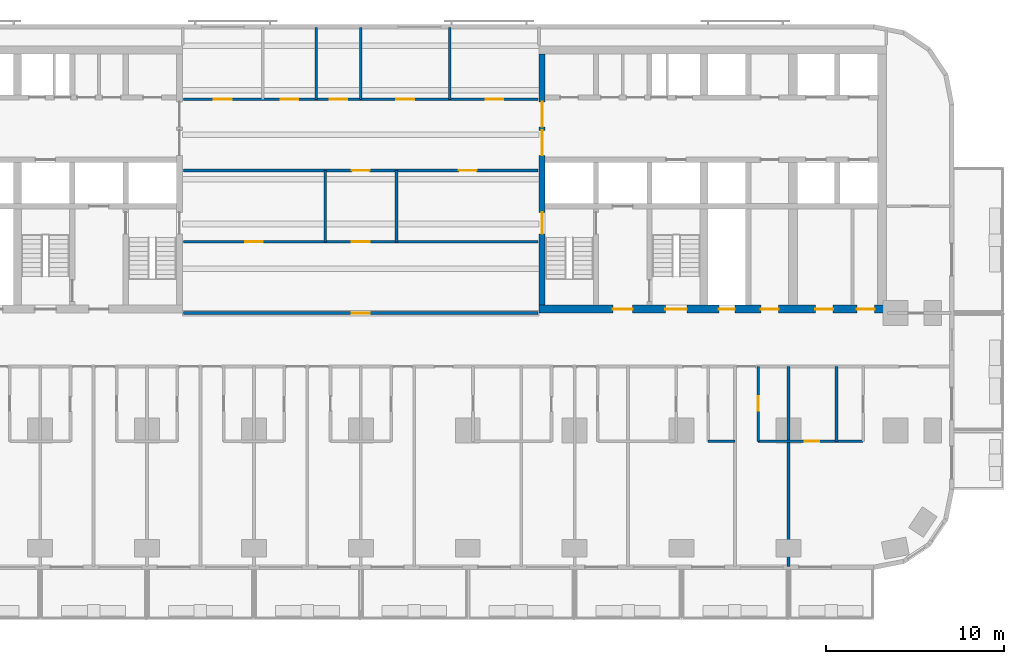
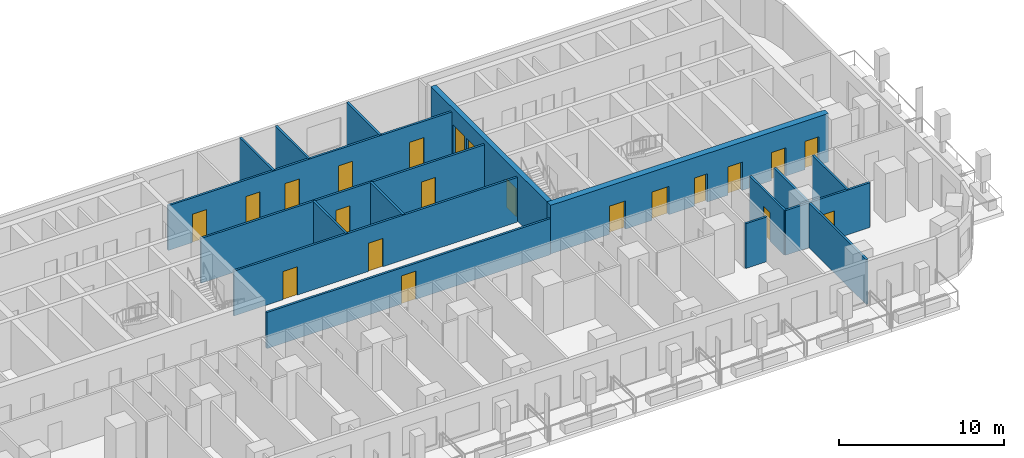
# One storey, part 6 of 14: 21 doors, 16 walls, 21 openings.
"""IFC4 building model written with IfcOpenShell, lengths in metres."""

from ifc_helpers import new_model, si_unit, direction, frame, frame_2d, origin, place, context, subcontext, project, spatial, rectangle, extrude, material, layer, layer_set, type_object, element, fill, save


model = new_model("IFC4")

# Units and contexts
model_context = context("Model", 3, precision=1e-05, world=origin(), true_north=direction((0.0, 1.0)))
body_context = subcontext(model_context, "Body", "Model", "MODEL_VIEW")
ifc_project = project(units=[si_unit("LENGTHUNIT", "METRE"), si_unit("AREAUNIT", "SQUARE_METRE"), si_unit("VOLUMEUNIT", "CUBIC_METRE"), si_unit("PLANEANGLEUNIT", "RADIAN"), si_unit("MASSUNIT", "GRAM", prefix="KILO")], contexts=[model_context])

# Site, building, storey
site_placement = place(None, origin())
site = spatial("IfcSite", under=ifc_project, at=site_placement, CompositionType="ELEMENT")
building_placement = place(site_placement, origin())
building = spatial("IfcBuilding", under=site, at=building_placement, Name="Torana Hotel and Residences", CompositionType="ELEMENT")
storey_placement = place(building_placement, frame((0.0, 0.0, 34.800048828125)))
storey = spatial("IfcBuildingStorey", under=building, at=storey_placement, Name="L07", CompositionType="ELEMENT", Elevation=34.800048828125)

# Wall, openings, doors
ifc_material_1 = material(Name="Concrete C80/95", Category="concrete")
ifc_layer_1 = layer(ifc_material_1, 0.35009765625)
ifc_layer_set_1 = layer_set([ifc_layer_1], Name="CORE WALL 350 C80/95")
wall_type_1 = type_object("IfcWallType", Name="CORE WALL 350 C80/95", PredefinedType="SHEAR", material=ifc_layer_set_1)
wall_1_placement = place(storey_placement, frame((10.175048828125, -14.550048828125, 0.0), z_axis=(0.0, 0.0, 1.0), x_axis=(0.0, 1.0, 0.0)))
wall_1 = element("IfcWall", 1, at=wall_1_placement, inside=storey, type_object=wall_type_1, Name="Core wall E arch", PredefinedType="SHEAR", context=body_context, shape_type="SweptSolid", body=[
    extrude(rectangle(XDim=14.10009765625, YDim=0.35009765625, at=frame_2d((7.050048828125, 0.0))), origin(), (0.0, 0.0, 1.0), 3.599853515625),
])
opening_1_placement = place(wall_1_placement, frame((8.39990234375, 0.0, 0.0)))
opening_1 = element("IfcOpeningElement", 2, at=opening_1_placement, cuts=wall_1, Name="Opening L07-19", PredefinedType="OPENING", context=body_context, shape_type="SweptSolid", body=[
    extrude(rectangle(XDim=1.39990234375, YDim=2.39990234375, at=frame_2d((0.699951171875, 1.199951171875))), frame((0.0, 0.18505859375, 0.0), z_axis=(0.0, -1.0, 0.0), x_axis=(1.0, 0.0, 0.0)), (0.0, 0.0, 1.0), 0.3701171875),
])
opening_2_placement = place(wall_1_placement, frame((10.0, 0.0, 0.0)))
opening_2 = element("IfcOpeningElement", 3, at=opening_2_placement, cuts=wall_1, Name="Opening L07-20", PredefinedType="OPENING", context=body_context, shape_type="SweptSolid", body=[
    extrude(rectangle(XDim=1.39990234375, YDim=2.39990234375, at=frame_2d((0.699951171875, 1.199951171875))), frame((0.0, 0.18505859375, 0.0), z_axis=(0.0, -1.0, 0.0), x_axis=(1.0, 0.0, 0.0)), (0.0, 0.0, 1.0), 0.3701171875),
])
opening_3_placement = place(wall_1_placement, frame((4.0, 0.0, 0.0)))
opening_3 = element("IfcOpeningElement", 4, at=opening_3_placement, cuts=wall_1, Name="Opening L07-21", PredefinedType="OPENING", context=body_context, shape_type="SweptSolid", body=[
    extrude(rectangle(XDim=1.199951171875, YDim=2.10009765625, at=frame_2d((0.60009765625, 1.050048828125))), frame((0.0, 0.18505859375, 0.0), z_axis=(0.0, -1.0, 0.0), x_axis=(1.0, 0.0, 0.0)), (0.0, 0.0, 1.0), 0.3701171875),
])
ifc_material_2 = material(Name="Steel S235", Category="steel")
door_type_1 = type_object("IfcDoorType", Name="LOBBY FIRE DOOR D4 1400x2400", OperationType="DOUBLE_DOOR_SINGLE_SWING", PredefinedType="DOOR", material=ifc_material_2)
door_1_placement = place(opening_1_placement, origin())
door_1 = element("IfcDoor", 5, at=door_1_placement, inside=storey, type_object=door_type_1, Name="Lobby-1 door L07", OperationType="DOUBLE_DOOR_SINGLE_SWING", OverallHeight=2.39990234375, OverallWidth=1.39990234375, PredefinedType="DOOR", context=body_context, shape_type="SweptSolid", body=[
    extrude(rectangle(XDim=1.39990234375, YDim=2.39990234375, at=frame_2d((0.699951171875, 1.199951171875))), frame((0.0, 0.02490234375, 0.0), z_axis=(0.0, -1.0, 0.0), x_axis=(1.0, 0.0, 0.0)), (0.0, 0.0, 1.0), 0.050048828125),
])
fill(opening_1, door_1)
door_2_placement = place(opening_2_placement, origin())
door_2 = element("IfcDoor", 6, at=door_2_placement, inside=storey, type_object=door_type_1, Name="Lobby-2 door L07", OperationType="DOUBLE_DOOR_SINGLE_SWING", OverallHeight=2.39990234375, OverallWidth=1.39990234375, PredefinedType="DOOR", context=body_context, shape_type="SweptSolid", body=[
    extrude(rectangle(XDim=1.39990234375, YDim=2.39990234375, at=frame_2d((0.699951171875, 1.199951171875))), frame((0.0, 0.02490234375, 0.0), z_axis=(0.0, -1.0, 0.0), x_axis=(1.0, 0.0, 0.0)), (0.0, 0.0, 1.0), 0.050048828125),
])
fill(opening_2, door_2)
ifc_material_3 = material(Name="Steel S235", Category="steel")
door_type_2 = type_object("IfcDoorType", Name="STAIR FIRE DOOR D3 1200x2100", OperationType="SINGLE_SWING_LEFT", PredefinedType="DOOR", material=ifc_material_3)
door_3_placement = place(opening_3_placement, frame((0.60009765625, 0.0, 0.0), z_axis=(0.0, 0.0, 1.0), x_axis=(-1.0, 0.0, 0.0)))
door_3 = element("IfcDoor", 7, at=door_3_placement, inside=storey, type_object=door_type_2, Name="Stair-A door L07", OperationType="SINGLE_SWING_RIGHT", OverallHeight=2.10009765625, OverallWidth=1.199951171875, PredefinedType="DOOR", context=body_context, shape_type="SweptSolid", body=[
    extrude(rectangle(XDim=1.199951171875, YDim=2.10009765625, at=frame_2d((0.0, 1.050048828125))), frame((0.0, -0.02490234375, 0.0), z_axis=(0.0, 1.0, 0.0), x_axis=(-1.0, 0.0, 0.0)), (0.0, 0.0, 1.0), 0.050048828125),
])
fill(opening_3, door_3)

ifc_material_4 = material(Name="Concrete C80/95", Category="concrete")
ifc_layer_2 = layer(ifc_material_4, 0.449951171875)
ifc_layer_set_2 = layer_set([ifc_layer_2], Name="CORE WALL 450 C80/95")
wall_type_2 = type_object("IfcWallType", Name="CORE WALL 450 C80/95", PredefinedType="SHEAR", material=ifc_layer_set_2)
wall_2_placement = place(storey_placement, frame((10.0, -14.77490234375, 0.0), z_axis=(0.0, 0.0, 1.0), x_axis=(1.0, 0.0, 0.0)))
wall_2 = element("IfcWall", 8, at=wall_2_placement, inside=storey, type_object=wall_type_2, Name="Core wall E front", PredefinedType="SHEAR", context=body_context, shape_type="SweptSolid", body=[
    extrude(rectangle(XDim=19.5, YDim=0.449951171875, at=frame_2d((9.75, 0.0))), origin(), (0.0, 0.0, 1.0), 3.599853515625),
])
opening_4_placement = place(wall_2_placement, frame((7.10009765625, 0.0, 0.0)))
opening_4 = element("IfcOpeningElement", 9, at=opening_4_placement, cuts=wall_2, Name="Opening L07-22", PredefinedType="OPENING", context=body_context, shape_type="SweptSolid", body=[
    extrude(rectangle(XDim=1.199951171875, YDim=2.10009765625, at=frame_2d((0.60009765625, 1.050048828125))), frame((0.0, 0.23486328125, 0.0), z_axis=(0.0, -1.0, 0.0), x_axis=(1.0, 0.0, 0.0)), (0.0, 0.0, 1.0), 0.469970703125),
])
opening_5_placement = place(wall_2_placement, frame((4.14990234375, 0.0, 0.0)))
opening_5 = element("IfcOpeningElement", 10, at=opening_5_placement, cuts=wall_2, Name="Opening L07-23", PredefinedType="OPENING", context=body_context, shape_type="SweptSolid", body=[
    extrude(rectangle(XDim=1.10009765625, YDim=2.10009765625, at=frame_2d((0.550048828125, 1.050048828125))), frame((0.0, 0.23486328125, 0.0), z_axis=(0.0, -1.0, 0.0), x_axis=(1.0, 0.0, 0.0)), (0.0, 0.0, 1.0), 0.469970703125),
])
opening_6_placement = place(wall_2_placement, frame((10.10009765625, 0.0, 0.0)))
opening_6 = element("IfcOpeningElement", 11, at=opening_6_placement, cuts=wall_2, Name="Opening L07-24", PredefinedType="OPENING", context=body_context, shape_type="SweptSolid", body=[
    extrude(rectangle(XDim=0.89990234375, YDim=2.10009765625, at=frame_2d((0.449951171875, 1.050048828125))), frame((0.0, 0.23486328125, 0.0), z_axis=(0.0, -1.0, 0.0), x_axis=(1.0, 0.0, 0.0)), (0.0, 0.0, 1.0), 0.469970703125),
])
opening_7_placement = place(wall_2_placement, frame((12.449951171875, 0.0, 0.0)))
opening_7 = element("IfcOpeningElement", 12, at=opening_7_placement, cuts=wall_2, Name="Opening L07-25", PredefinedType="OPENING", context=body_context, shape_type="SweptSolid", body=[
    extrude(rectangle(XDim=1.0, YDim=2.10009765625, at=frame_2d((0.5, 1.050048828125))), frame((0.0, 0.23486328125, 0.0), z_axis=(0.0, -1.0, 0.0), x_axis=(1.0, 0.0, 0.0)), (0.0, 0.0, 1.0), 0.469970703125),
])
opening_8_placement = place(wall_2_placement, frame((15.512451171875, 0.0, 0.0)))
opening_8 = element("IfcOpeningElement", 13, at=opening_8_placement, cuts=wall_2, Name="Opening L07-26", PredefinedType="OPENING", context=body_context, shape_type="SweptSolid", body=[
    extrude(rectangle(XDim=1.0, YDim=2.10009765625, at=frame_2d((0.5, 1.050048828125))), frame((0.0, 0.23486328125, 0.0), z_axis=(0.0, -1.0, 0.0), x_axis=(1.0, 0.0, 0.0)), (0.0, 0.0, 1.0), 0.469970703125),
])
opening_9_placement = place(wall_2_placement, frame((17.83740234375, 0.0, 0.0)))
opening_9 = element("IfcOpeningElement", 14, at=opening_9_placement, cuts=wall_2, Name="Opening L07-27", PredefinedType="OPENING", context=body_context, shape_type="SweptSolid", body=[
    extrude(rectangle(XDim=1.0, YDim=2.10009765625, at=frame_2d((0.5, 1.050048828125))), frame((0.0, 0.23486328125, 0.0), z_axis=(0.0, -1.0, 0.0), x_axis=(1.0, 0.0, 0.0)), (0.0, 0.0, 1.0), 0.469970703125),
])
ifc_material_5 = material(Name="Steel S235", Category="steel")
door_type_3 = type_object("IfcDoorType", Name="CORE ROOM FIRE DOOR D14 1000x2100", OperationType="SINGLE_SWING_LEFT", PredefinedType="DOOR", material=ifc_material_5)
door_4_placement = place(opening_7_placement, origin())
door_4 = element("IfcDoor", 15, at=door_4_placement, inside=storey, type_object=door_type_3, Name="M-Room door L07", OperationType="SINGLE_SWING_RIGHT", OverallHeight=2.10009765625, OverallWidth=1.0, PredefinedType="DOOR", context=body_context, shape_type="SweptSolid", body=[
    extrude(rectangle(XDim=1.0, YDim=2.10009765625, at=frame_2d((0.5, 1.050048828125))), frame((0.0, 0.02490234375, 0.0), z_axis=(0.0, -1.0, 0.0), x_axis=(1.0, 0.0, 0.0)), (0.0, 0.0, 1.0), 0.050048828125),
])
fill(opening_7, door_4)
door_5_placement = place(opening_8_placement, origin())
door_5 = element("IfcDoor", 16, at=door_5_placement, inside=storey, type_object=door_type_3, Name="L-A door L07", OperationType="SINGLE_SWING_RIGHT", OverallHeight=2.10009765625, OverallWidth=1.0, PredefinedType="DOOR", context=body_context, shape_type="SweptSolid", body=[
    extrude(rectangle(XDim=1.0, YDim=2.10009765625, at=frame_2d((0.5, 1.050048828125))), frame((0.0, 0.02490234375, 0.0), z_axis=(0.0, -1.0, 0.0), x_axis=(1.0, 0.0, 0.0)), (0.0, 0.0, 1.0), 0.050048828125),
])
fill(opening_8, door_5)
door_6_placement = place(opening_9_placement, origin())
door_6 = element("IfcDoor", 17, at=door_6_placement, inside=storey, type_object=door_type_3, Name="L-B door L07", OperationType="SINGLE_SWING_RIGHT", OverallHeight=2.10009765625, OverallWidth=1.0, PredefinedType="DOOR", context=body_context, shape_type="SweptSolid", body=[
    extrude(rectangle(XDim=1.0, YDim=2.10009765625, at=frame_2d((0.5, 1.050048828125))), frame((0.0, 0.02490234375, 0.0), z_axis=(0.0, -1.0, 0.0), x_axis=(1.0, 0.0, 0.0)), (0.0, 0.0, 1.0), 0.050048828125),
])
fill(opening_9, door_6)
ifc_material_6 = material(Name="Steel S235", Category="steel")
door_type_4 = type_object("IfcDoorType", Name="FIRE-FIGHTING LOBBY DOOR D8 1100x2100", OperationType="SINGLE_SWING_LEFT", PredefinedType="DOOR", material=ifc_material_6)
door_7_placement = place(opening_5_placement, origin())
door_7 = element("IfcDoor", 18, at=door_7_placement, inside=storey, type_object=door_type_4, Name="FF-lobby door L07", OperationType="SINGLE_SWING_RIGHT", OverallHeight=2.10009765625, OverallWidth=1.10009765625, PredefinedType="DOOR", context=body_context, shape_type="SweptSolid", body=[
    extrude(rectangle(XDim=1.10009765625, YDim=2.10009765625, at=frame_2d((0.550048828125, 1.050048828125))), frame((0.0, 0.02490234375, 0.0), z_axis=(0.0, -1.0, 0.0), x_axis=(1.0, 0.0, 0.0)), (0.0, 0.0, 1.0), 0.050048828125),
])
fill(opening_5, door_7)
ifc_material_7 = material(Name="Steel S235", Category="steel")
door_type_5 = type_object("IfcDoorType", Name="RISER ACCESS DOOR D5 900x2100", OperationType="SINGLE_SWING_LEFT", PredefinedType="DOOR", material=ifc_material_7)
door_8_placement = place(opening_6_placement, origin())
door_8 = element("IfcDoor", 19, at=door_8_placement, inside=storey, type_object=door_type_5, Name="M-Riser door L07", OperationType="SINGLE_SWING_RIGHT", OverallHeight=2.10009765625, OverallWidth=0.89990234375, PredefinedType="DOOR", context=body_context, shape_type="SweptSolid", body=[
    extrude(rectangle(XDim=0.89990234375, YDim=2.10009765625, at=frame_2d((0.449951171875, 1.050048828125))), frame((0.0, 0.02490234375, 0.0), z_axis=(0.0, -1.0, 0.0), x_axis=(1.0, 0.0, 0.0)), (0.0, 0.0, 1.0), 0.050048828125),
])
fill(opening_6, door_8)
door_9_placement = place(opening_4_placement, origin())
door_9 = element("IfcDoor", 20, at=door_9_placement, inside=storey, type_object=door_type_2, Name="Stair-B door L07", OperationType="SINGLE_SWING_RIGHT", OverallHeight=2.10009765625, OverallWidth=1.199951171875, PredefinedType="DOOR", context=body_context, shape_type="SweptSolid", body=[
    extrude(rectangle(XDim=1.199951171875, YDim=2.10009765625, at=frame_2d((0.60009765625, 1.050048828125))), frame((0.0, 0.02490234375, 0.0), z_axis=(0.0, -1.0, 0.0), x_axis=(1.0, 0.0, 0.0)), (0.0, 0.0, 1.0), 0.050048828125),
])
fill(opening_4, door_9)

# Walls
ifc_material_8 = material(Name="Gypsum plaster")
ifc_layer_3 = layer(ifc_material_8, 0.014892578125, Name="Plaster", Category="finish")
ifc_material_9 = material(Name="Concrete blockwork", Category="masonry")
ifc_layer_4 = layer(ifc_material_9, 0.1201171875, Name="Blockwork", Category="structure")
ifc_layer_5 = layer(ifc_material_8, 0.014892578125, Name="Plaster", Category="finish")
ifc_layer_set_3 = layer_set([ifc_layer_3, ifc_layer_4, ifc_layer_5], Name="FIRE PARTITION 150 BLOCKWORK")
wall_type_3 = type_object("IfcWallType", Name="FIRE PARTITION 150 BLOCKWORK", PredefinedType="PARTITIONING", material=ifc_layer_set_3)
for number, where, z_axis, x_axis, name in (
    (21, (2.0, -11.0, 0.0), (0.0, 0.0, 1.0), (0.0, 1.0, 0.0), "Partition L07"),
    (22, (-2.0, -11.0, 0.0), (0.0, 0.0, 1.0), (0.0, 1.0, 0.0), "Partition L07"),
):
    element("IfcWall", number, at=place(storey_placement, frame(where, z_axis=z_axis, x_axis=x_axis)), inside=storey, type_object=wall_type_3, Name=name, PredefinedType="PARTITIONING", context=body_context, shape_type="SweptSolid", body=[
        extrude(rectangle(XDim=4.0, YDim=0.14990234375, at=frame_2d((2.0, 0.0))), origin(), (0.0, 0.0, 1.0), 3.320068359375),
    ])

# Wall, opening, door
wall_3_placement = place(storey_placement, frame((-9.949951171875, -15.0, 0.0), z_axis=(0.0, 0.0, 1.0), x_axis=(1.0, 0.0, 0.0)))
wall_3 = element("IfcWall", 23, at=wall_3_placement, inside=storey, type_object=wall_type_3, Name="Partition L07", PredefinedType="PARTITIONING", context=body_context, shape_type="SweptSolid", body=[
    extrude(rectangle(XDim=19.89990234375, YDim=0.14990234375, at=frame_2d((9.949951171875, 0.0))), origin(), (0.0, 0.0, 1.0), 2.683837890625),
])
opening_10_placement = place(wall_3_placement, frame((9.449951171875, 0.0, 0.0)))
opening_10 = element("IfcOpeningElement", 24, at=opening_10_placement, cuts=wall_3, Name="Opening L07-37", PredefinedType="OPENING", context=body_context, shape_type="SweptSolid", body=[
    extrude(rectangle(XDim=1.0, YDim=2.10009765625, at=frame_2d((0.5, 1.050048828125))), frame((0.0, 0.0849609375, 0.0), z_axis=(0.0, -1.0, 0.0), x_axis=(1.0, 0.0, 0.0)), (0.0, 0.0, 1.0), 0.169921875),
])
ifc_material_10 = material(Name="Steel S235", Category="steel")
door_type_6 = type_object("IfcDoorType", Name="ENTRY FIRE DOOR D6 1000x2100", OperationType="SINGLE_SWING_LEFT", PredefinedType="DOOR", material=ifc_material_10)
door_10_placement = place(opening_10_placement, origin())
door_10 = element("IfcDoor", 25, at=door_10_placement, inside=storey, type_object=door_type_6, Name="Door L07", OperationType="SINGLE_SWING_RIGHT", OverallHeight=2.10009765625, OverallWidth=1.0, PredefinedType="DOOR", context=body_context, shape_type="SweptSolid", body=[
    extrude(rectangle(XDim=1.0, YDim=2.10009765625, at=frame_2d((0.5, 1.050048828125))), frame((0.0, 0.02490234375, 0.0), z_axis=(0.0, -1.0, 0.0), x_axis=(1.0, 0.0, 0.0)), (0.0, 0.0, 1.0), 0.050048828125),
])
fill(opening_10, door_10)

# Wall, openings, doors
wall_4_placement = place(storey_placement, frame((-9.949951171875, -11.0, 0.0), z_axis=(0.0, 0.0, 1.0), x_axis=(1.0, 0.0, 0.0)))
wall_4 = element("IfcWall", 26, at=wall_4_placement, inside=storey, type_object=wall_type_3, Name="Partition L07", PredefinedType="PARTITIONING", context=body_context, shape_type="SweptSolid", body=[
    extrude(rectangle(XDim=19.89990234375, YDim=0.14990234375, at=frame_2d((9.949951171875, 0.0))), origin(), (0.0, 0.0, 1.0), 3.320068359375),
])
opening_11_placement = place(wall_4_placement, frame((9.449951171875, 0.0, 0.0)))
opening_11 = element("IfcOpeningElement", 27, at=opening_11_placement, cuts=wall_4, Name="Opening L07-55", PredefinedType="OPENING", context=body_context, shape_type="SweptSolid", body=[
    extrude(rectangle(XDim=1.0, YDim=2.10009765625, at=frame_2d((0.5, 1.050048828125))), frame((0.0, 0.0849609375, 0.0), z_axis=(0.0, -1.0, 0.0), x_axis=(1.0, 0.0, 0.0)), (0.0, 0.0, 1.0), 0.169921875),
])
opening_12_placement = place(wall_4_placement, frame((3.449951171875, 0.0, 0.0)))
opening_12 = element("IfcOpeningElement", 28, at=opening_12_placement, cuts=wall_4, Name="Opening L07-56", PredefinedType="OPENING", context=body_context, shape_type="SweptSolid", body=[
    extrude(rectangle(XDim=1.0, YDim=2.10009765625, at=frame_2d((0.5, 1.050048828125))), frame((0.0, 0.0849609375, 0.0), z_axis=(0.0, -1.0, 0.0), x_axis=(1.0, 0.0, 0.0)), (0.0, 0.0, 1.0), 0.169921875),
])
door_11_placement = place(opening_11_placement, origin())
door_11 = element("IfcDoor", 29, at=door_11_placement, inside=storey, type_object=door_type_6, Name="Door L07", OperationType="SINGLE_SWING_RIGHT", OverallHeight=2.10009765625, OverallWidth=1.0, PredefinedType="DOOR", context=body_context, shape_type="SweptSolid", body=[
    extrude(rectangle(XDim=1.0, YDim=2.10009765625, at=frame_2d((0.5, 1.050048828125))), frame((0.0, 0.02490234375, 0.0), z_axis=(0.0, -1.0, 0.0), x_axis=(1.0, 0.0, 0.0)), (0.0, 0.0, 1.0), 0.050048828125),
])
fill(opening_11, door_11)
door_12_placement = place(opening_12_placement, origin())
door_12 = element("IfcDoor", 30, at=door_12_placement, inside=storey, type_object=door_type_6, Name="Door L07", OperationType="SINGLE_SWING_RIGHT", OverallHeight=2.10009765625, OverallWidth=1.0, PredefinedType="DOOR", context=body_context, shape_type="SweptSolid", body=[
    extrude(rectangle(XDim=1.0, YDim=2.10009765625, at=frame_2d((0.5, 1.050048828125))), frame((0.0, 0.02490234375, 0.0), z_axis=(0.0, -1.0, 0.0), x_axis=(1.0, 0.0, 0.0)), (0.0, 0.0, 1.0), 0.050048828125),
])
fill(opening_12, door_12)

wall_5_placement = place(storey_placement, frame((-9.949951171875, -7.0, 0.0), z_axis=(0.0, 0.0, 1.0), x_axis=(1.0, 0.0, 0.0)))
wall_5 = element("IfcWall", 31, at=wall_5_placement, inside=storey, type_object=wall_type_3, Name="Partition L07", PredefinedType="PARTITIONING", context=body_context, shape_type="SweptSolid", body=[
    extrude(rectangle(XDim=19.89990234375, YDim=0.14990234375, at=frame_2d((9.949951171875, 0.0))), origin(), (0.0, 0.0, 1.0), 3.320068359375),
])
opening_13_placement = place(wall_5_placement, frame((9.449951171875, 0.0, 0.0)))
opening_13 = element("IfcOpeningElement", 32, at=opening_13_placement, cuts=wall_5, Name="Opening L07-57", PredefinedType="OPENING", context=body_context, shape_type="SweptSolid", body=[
    extrude(rectangle(XDim=1.0, YDim=2.10009765625, at=frame_2d((0.5, 1.050048828125))), frame((0.0, 0.0849609375, 0.0), z_axis=(0.0, -1.0, 0.0), x_axis=(1.0, 0.0, 0.0)), (0.0, 0.0, 1.0), 0.169921875),
])
opening_14_placement = place(wall_5_placement, frame((15.449951171875, 0.0, 0.0)))
opening_14 = element("IfcOpeningElement", 33, at=opening_14_placement, cuts=wall_5, Name="Opening L07-58", PredefinedType="OPENING", context=body_context, shape_type="SweptSolid", body=[
    extrude(rectangle(XDim=1.0, YDim=2.10009765625, at=frame_2d((0.5, 1.050048828125))), frame((0.0, 0.0849609375, 0.0), z_axis=(0.0, -1.0, 0.0), x_axis=(1.0, 0.0, 0.0)), (0.0, 0.0, 1.0), 0.169921875),
])
door_13_placement = place(opening_13_placement, origin())
door_13 = element("IfcDoor", 34, at=door_13_placement, inside=storey, type_object=door_type_6, Name="Door L07", OperationType="SINGLE_SWING_RIGHT", OverallHeight=2.10009765625, OverallWidth=1.0, PredefinedType="DOOR", context=body_context, shape_type="SweptSolid", body=[
    extrude(rectangle(XDim=1.0, YDim=2.10009765625, at=frame_2d((0.5, 1.050048828125))), frame((0.0, 0.02490234375, 0.0), z_axis=(0.0, -1.0, 0.0), x_axis=(1.0, 0.0, 0.0)), (0.0, 0.0, 1.0), 0.050048828125),
])
fill(opening_13, door_13)
door_14_placement = place(opening_14_placement, frame((0.5, 0.0, 0.0), z_axis=(0.0, 0.0, 1.0), x_axis=(-1.0, 0.0, 0.0)))
door_14 = element("IfcDoor", 35, at=door_14_placement, inside=storey, type_object=door_type_6, Name="Door L07", OperationType="SINGLE_SWING_LEFT", OverallHeight=2.10009765625, OverallWidth=1.0, PredefinedType="DOOR", context=body_context, shape_type="SweptSolid", body=[
    extrude(rectangle(XDim=1.0, YDim=2.10009765625, at=frame_2d((0.0, 1.050048828125))), frame((0.0, -0.02490234375, 0.0), z_axis=(0.0, 1.0, 0.0), x_axis=(-1.0, 0.0, 0.0)), (0.0, 0.0, 1.0), 0.050048828125),
])
fill(opening_14, door_14)

wall_6_placement = place(storey_placement, frame((-9.949951171875, -3.0, 0.0), z_axis=(0.0, 0.0, 1.0), x_axis=(1.0, 0.0, 0.0)))
wall_6 = element("IfcWall", 36, at=wall_6_placement, inside=storey, type_object=wall_type_3, Name="Partition L07", PredefinedType="PARTITIONING", context=body_context, shape_type="SweptSolid", body=[
    extrude(rectangle(XDim=19.89990234375, YDim=0.14990234375, at=frame_2d((9.949951171875, 0.0))), origin(), (0.0, 0.0, 1.0), 3.320068359375),
])
opening_15_placement = place(wall_6_placement, frame((1.699951171875, 0.0, 0.0)))
opening_15 = element("IfcOpeningElement", 37, at=opening_15_placement, cuts=wall_6, Name="Opening L07-59", PredefinedType="OPENING", context=body_context, shape_type="SweptSolid", body=[
    extrude(rectangle(XDim=1.0, YDim=2.10009765625, at=frame_2d((0.5, 1.050048828125))), frame((0.0, 0.0849609375, 0.0), z_axis=(0.0, -1.0, 0.0), x_axis=(1.0, 0.0, 0.0)), (0.0, 0.0, 1.0), 0.169921875),
])
opening_16_placement = place(wall_6_placement, frame((5.449951171875, 0.0, 0.0)))
opening_16 = element("IfcOpeningElement", 38, at=opening_16_placement, cuts=wall_6, Name="Opening L07-60", PredefinedType="OPENING", context=body_context, shape_type="SweptSolid", body=[
    extrude(rectangle(XDim=1.0, YDim=2.10009765625, at=frame_2d((0.5, 1.050048828125))), frame((0.0, 0.0849609375, 0.0), z_axis=(0.0, -1.0, 0.0), x_axis=(1.0, 0.0, 0.0)), (0.0, 0.0, 1.0), 0.169921875),
])
opening_17_placement = place(wall_6_placement, frame((8.199951171875, 0.0, 0.0)))
opening_17 = element("IfcOpeningElement", 39, at=opening_17_placement, cuts=wall_6, Name="Opening L07-61", PredefinedType="OPENING", context=body_context, shape_type="SweptSolid", body=[
    extrude(rectangle(XDim=1.0, YDim=2.10009765625, at=frame_2d((0.5, 1.050048828125))), frame((0.0, 0.0849609375, 0.0), z_axis=(0.0, -1.0, 0.0), x_axis=(1.0, 0.0, 0.0)), (0.0, 0.0, 1.0), 0.169921875),
])
opening_18_placement = place(wall_6_placement, frame((11.949951171875, 0.0, 0.0)))
opening_18 = element("IfcOpeningElement", 40, at=opening_18_placement, cuts=wall_6, Name="Opening L07-62", PredefinedType="OPENING", context=body_context, shape_type="SweptSolid", body=[
    extrude(rectangle(XDim=1.0, YDim=2.10009765625, at=frame_2d((0.5, 1.050048828125))), frame((0.0, 0.0849609375, 0.0), z_axis=(0.0, -1.0, 0.0), x_axis=(1.0, 0.0, 0.0)), (0.0, 0.0, 1.0), 0.169921875),
])
opening_19_placement = place(wall_6_placement, frame((16.949951171875, 0.0, 0.0)))
opening_19 = element("IfcOpeningElement", 41, at=opening_19_placement, cuts=wall_6, Name="Opening L07-63", PredefinedType="OPENING", context=body_context, shape_type="SweptSolid", body=[
    extrude(rectangle(XDim=1.0, YDim=2.10009765625, at=frame_2d((0.5, 1.050048828125))), frame((0.0, 0.0849609375, 0.0), z_axis=(0.0, -1.0, 0.0), x_axis=(1.0, 0.0, 0.0)), (0.0, 0.0, 1.0), 0.169921875),
])
door_15_placement = place(opening_15_placement, origin())
door_15 = element("IfcDoor", 42, at=door_15_placement, inside=storey, type_object=door_type_6, Name="Door L07", OperationType="SINGLE_SWING_RIGHT", OverallHeight=2.10009765625, OverallWidth=1.0, PredefinedType="DOOR", context=body_context, shape_type="SweptSolid", body=[
    extrude(rectangle(XDim=1.0, YDim=2.10009765625, at=frame_2d((0.5, 1.050048828125))), frame((0.0, 0.02490234375, 0.0), z_axis=(0.0, -1.0, 0.0), x_axis=(1.0, 0.0, 0.0)), (0.0, 0.0, 1.0), 0.050048828125),
])
fill(opening_15, door_15)
door_16_placement = place(opening_16_placement, origin())
door_16 = element("IfcDoor", 43, at=door_16_placement, inside=storey, type_object=door_type_6, Name="Door L07", OperationType="SINGLE_SWING_RIGHT", OverallHeight=2.10009765625, OverallWidth=1.0, PredefinedType="DOOR", context=body_context, shape_type="SweptSolid", body=[
    extrude(rectangle(XDim=1.0, YDim=2.10009765625, at=frame_2d((0.5, 1.050048828125))), frame((0.0, 0.02490234375, 0.0), z_axis=(0.0, -1.0, 0.0), x_axis=(1.0, 0.0, 0.0)), (0.0, 0.0, 1.0), 0.050048828125),
])
fill(opening_16, door_16)
door_17_placement = place(opening_17_placement, origin())
door_17 = element("IfcDoor", 44, at=door_17_placement, inside=storey, type_object=door_type_6, Name="Door L07", OperationType="SINGLE_SWING_RIGHT", OverallHeight=2.10009765625, OverallWidth=1.0, PredefinedType="DOOR", context=body_context, shape_type="SweptSolid", body=[
    extrude(rectangle(XDim=1.0, YDim=2.10009765625, at=frame_2d((0.5, 1.050048828125))), frame((0.0, 0.02490234375, 0.0), z_axis=(0.0, -1.0, 0.0), x_axis=(1.0, 0.0, 0.0)), (0.0, 0.0, 1.0), 0.050048828125),
])
fill(opening_17, door_17)
door_18_placement = place(opening_18_placement, origin())
door_18 = element("IfcDoor", 45, at=door_18_placement, inside=storey, type_object=door_type_6, Name="Door L07", OperationType="SINGLE_SWING_RIGHT", OverallHeight=2.10009765625, OverallWidth=1.0, PredefinedType="DOOR", context=body_context, shape_type="SweptSolid", body=[
    extrude(rectangle(XDim=1.0, YDim=2.10009765625, at=frame_2d((0.5, 1.050048828125))), frame((0.0, 0.02490234375, 0.0), z_axis=(0.0, -1.0, 0.0), x_axis=(1.0, 0.0, 0.0)), (0.0, 0.0, 1.0), 0.050048828125),
])
fill(opening_18, door_18)
door_19_placement = place(opening_19_placement, origin())
door_19 = element("IfcDoor", 46, at=door_19_placement, inside=storey, type_object=door_type_6, Name="Door L07", OperationType="SINGLE_SWING_RIGHT", OverallHeight=2.10009765625, OverallWidth=1.0, PredefinedType="DOOR", context=body_context, shape_type="SweptSolid", body=[
    extrude(rectangle(XDim=1.0, YDim=2.10009765625, at=frame_2d((0.5, 1.050048828125))), frame((0.0, 0.02490234375, 0.0), z_axis=(0.0, -1.0, 0.0), x_axis=(1.0, 0.0, 0.0)), (0.0, 0.0, 1.0), 0.050048828125),
])
fill(opening_19, door_19)

# Walls
ifc_material_11 = material(Name="Gypsum plasterboard")
ifc_layer_6 = layer(ifc_material_11, 0.012451171875, Name="Plasterboard", Category="finish")
ifc_layer_7 = layer(ifc_material_11, 0.012451171875, Name="Plasterboard", Category="finish")
ifc_material_12 = material(Name="Steel S280GD", Category="steel")
ifc_layer_8 = layer(ifc_material_12, 0.10009765625, Name="Steel studs with mineral wool", Category="insulation")
ifc_layer_9 = layer(ifc_material_11, 0.012451171875, Name="Plasterboard", Category="finish")
ifc_layer_10 = layer(ifc_material_11, 0.012451171875, Name="Plasterboard", Category="finish")
ifc_layer_set_4 = layer_set([ifc_layer_6, ifc_layer_7, ifc_layer_8, ifc_layer_9, ifc_layer_10], Name="PARTITION 150 PLASTERBOARD")
wall_type_4 = type_object("IfcWallType", Name="PARTITION 150 PLASTERBOARD", PredefinedType="PARTITIONING", material=ifc_layer_set_4)
wall_7_placement = place(storey_placement, frame((26.699951171875, -22.199951171875, 0.0), z_axis=(0.0, 0.0, 1.0), x_axis=(0.0, 1.0, 0.0)))
element("IfcWall", 47, at=wall_7_placement, inside=storey, type_object=wall_type_4, Name="Partition L07", PredefinedType="PARTITIONING", context=body_context, shape_type="SweptSolid", body=[
    extrude(rectangle(XDim=4.199951171875, YDim=0.14990234375, at=frame_2d((2.10009765625, 0.0))), origin(), (0.0, 0.0, 1.0), 3.320068359375),
])
wall_8_placement = place(storey_placement, frame((24.0, -29.219970703125, 0.0), z_axis=(0.0, 0.0, 1.0), x_axis=(0.0, 1.0, 0.0)))
element("IfcWall", 48, at=wall_8_placement, inside=storey, type_object=wall_type_4, Name="Partition L07", PredefinedType="PARTITIONING", context=body_context, shape_type="SweptSolid", body=[
    extrude(rectangle(XDim=11.219970703125, YDim=0.14990234375, at=frame_2d((5.60986328125, 0.0))), origin(), (0.0, 0.0, 1.0), 3.320068359375),
])

# Wall, opening, door
wall_9_placement = place(storey_placement, frame((22.300048828125, -22.199951171875, 0.0), z_axis=(0.0, 0.0, 1.0), x_axis=(0.0, 1.0, 0.0)))
wall_9 = element("IfcWall", 49, at=wall_9_placement, inside=storey, type_object=wall_type_4, Name="Partition L07", PredefinedType="PARTITIONING", context=body_context, shape_type="SweptSolid", body=[
    extrude(rectangle(XDim=4.199951171875, YDim=0.14990234375, at=frame_2d((2.10009765625, 0.0))), origin(), (0.0, 0.0, 1.0), 3.320068359375),
])
opening_20_placement = place(wall_9_placement, frame((1.719970703125, 0.0, 0.0)))
opening_20 = element("IfcOpeningElement", 50, at=opening_20_placement, cuts=wall_9, Name="Opening L07-77", PredefinedType="OPENING", context=body_context, shape_type="SweptSolid", body=[
    extrude(rectangle(XDim=0.800048828125, YDim=2.10009765625, at=frame_2d((0.39990234375, 1.050048828125))), frame((0.0, 0.0849609375, 0.0), z_axis=(0.0, -1.0, 0.0), x_axis=(1.0, 0.0, 0.0)), (0.0, 0.0, 1.0), 0.169921875),
])
ifc_material_13 = material(Name="Timber door, painted", Category="wood")
door_type_7 = type_object("IfcDoorType", Name="BATH DOOR D13 800x2100", OperationType="SINGLE_SWING_LEFT", PredefinedType="DOOR", material=ifc_material_13)
door_20_placement = place(opening_20_placement, origin())
door_20 = element("IfcDoor", 51, at=door_20_placement, inside=storey, type_object=door_type_7, Name="Door L07", OperationType="SINGLE_SWING_RIGHT", OverallHeight=2.10009765625, OverallWidth=0.800048828125, PredefinedType="DOOR", context=body_context, shape_type="SweptSolid", body=[
    extrude(rectangle(XDim=0.800048828125, YDim=2.10009765625, at=frame_2d((0.39990234375, 1.050048828125))), frame((0.0, 0.02490234375, 0.0), z_axis=(0.0, -1.0, 0.0), x_axis=(1.0, 0.0, 0.0)), (0.0, 0.0, 1.0), 0.050048828125),
])
fill(opening_20, door_20)

# Walls
wall_10_placement = place(storey_placement, frame((5.0, -3.0, 0.0), z_axis=(0.0, 0.0, 1.0), x_axis=(0.0, 1.0, 0.0)))
element("IfcWall", 52, at=wall_10_placement, inside=storey, type_object=wall_type_4, Name="Partition L07", PredefinedType="PARTITIONING", context=body_context, shape_type="SweptSolid", body=[
    extrude(rectangle(XDim=4.02001953125, YDim=0.14990234375, at=frame_2d((2.010009765625, 0.0))), origin(), (0.0, 0.0, 1.0), 3.320068359375),
])
wall_11_placement = place(storey_placement, frame((19.5, -22.199951171875, 0.0), z_axis=(0.0, 0.0, 1.0), x_axis=(1.0, 0.0, 0.0)))
element("IfcWall", 53, at=wall_11_placement, inside=storey, type_object=wall_type_4, Name="Partition L07", PredefinedType="PARTITIONING", context=body_context, shape_type="SweptSolid", body=[
    extrude(rectangle(XDim=1.5, YDim=0.14990234375, at=frame_2d((0.75, 0.0))), origin(), (0.0, 0.0, 1.0), 3.320068359375),
])

# Wall, opening, door
wall_12_placement = place(storey_placement, frame((22.300048828125, -22.199951171875, 0.0), z_axis=(0.0, 0.0, 1.0), x_axis=(1.0, 0.0, 0.0)))
wall_12 = element("IfcWall", 54, at=wall_12_placement, inside=storey, type_object=wall_type_4, Name="Partition L07", PredefinedType="PARTITIONING", context=body_context, shape_type="SweptSolid", body=[
    extrude(rectangle(XDim=5.89990234375, YDim=0.14990234375, at=frame_2d((2.949951171875, 0.0))), origin(), (0.0, 0.0, 1.0), 3.320068359375),
])
opening_21_placement = place(wall_12_placement, frame((2.6298828125, 0.0, 0.0)))
opening_21 = element("IfcOpeningElement", 55, at=opening_21_placement, cuts=wall_12, Name="Opening L07-80", PredefinedType="OPENING", context=body_context, shape_type="SweptSolid", body=[
    extrude(rectangle(XDim=0.800048828125, YDim=2.10009765625, at=frame_2d((0.39990234375, 1.050048828125))), frame((0.0, 0.0849609375, 0.0), z_axis=(0.0, -1.0, 0.0), x_axis=(1.0, 0.0, 0.0)), (0.0, 0.0, 1.0), 0.169921875),
])
door_21_placement = place(opening_21_placement, origin())
door_21 = element("IfcDoor", 56, at=door_21_placement, inside=storey, type_object=door_type_7, Name="Door L07", OperationType="SINGLE_SWING_RIGHT", OverallHeight=2.10009765625, OverallWidth=0.800048828125, PredefinedType="DOOR", context=body_context, shape_type="SweptSolid", body=[
    extrude(rectangle(XDim=0.800048828125, YDim=2.10009765625, at=frame_2d((0.39990234375, 1.050048828125))), frame((0.0, 0.02490234375, 0.0), z_axis=(0.0, -1.0, 0.0), x_axis=(1.0, 0.0, 0.0)), (0.0, 0.0, 1.0), 0.050048828125),
])
fill(opening_21, door_21)

# Walls
ifc_material_14 = material(Name="Ceramic tile on adhesive")
ifc_layer_11 = layer(ifc_material_14, 0.010009765625, Name="Wall tile", Category="finish")
ifc_material_15 = material(Name="Cement render")
ifc_layer_12 = layer(ifc_material_15, 0.010009765625, Name="Render", Category="finish")
ifc_layer_13 = layer(ifc_material_9, 0.110107421875, Name="Blockwork", Category="structure")
ifc_layer_14 = layer(ifc_material_15, 0.010009765625, Name="Render", Category="finish")
ifc_layer_15 = layer(ifc_material_14, 0.010009765625, Name="Wall tile", Category="finish")
ifc_layer_set_5 = layer_set([ifc_layer_11, ifc_layer_12, ifc_layer_13, ifc_layer_14, ifc_layer_15], Name="WC PARTITION 150")
wall_type_5 = type_object("IfcWallType", Name="WC PARTITION 150", PredefinedType="PLUMBINGWALL", material=ifc_layer_set_5)
for number, where, z_axis, x_axis, name in (
    (57, (0.0, -3.0, 0.0), (0.0, 0.0, 1.0), (0.0, 1.0, 0.0), "Partition L07"),
    (58, (-2.5, -3.0, 0.0), (0.0, 0.0, 1.0), (0.0, 1.0, 0.0), "Partition L07"),
):
    element("IfcWall", number, at=place(storey_placement, frame(where, z_axis=z_axis, x_axis=x_axis)), inside=storey, type_object=wall_type_5, Name=name, PredefinedType="PLUMBINGWALL", context=body_context, shape_type="SweptSolid", body=[
        extrude(rectangle(XDim=4.02001953125, YDim=0.14990234375, at=frame_2d((2.010009765625, 0.0))), origin(), (0.0, 0.0, 1.0), 3.320068359375),
    ])

save(model, "model.ifc")
